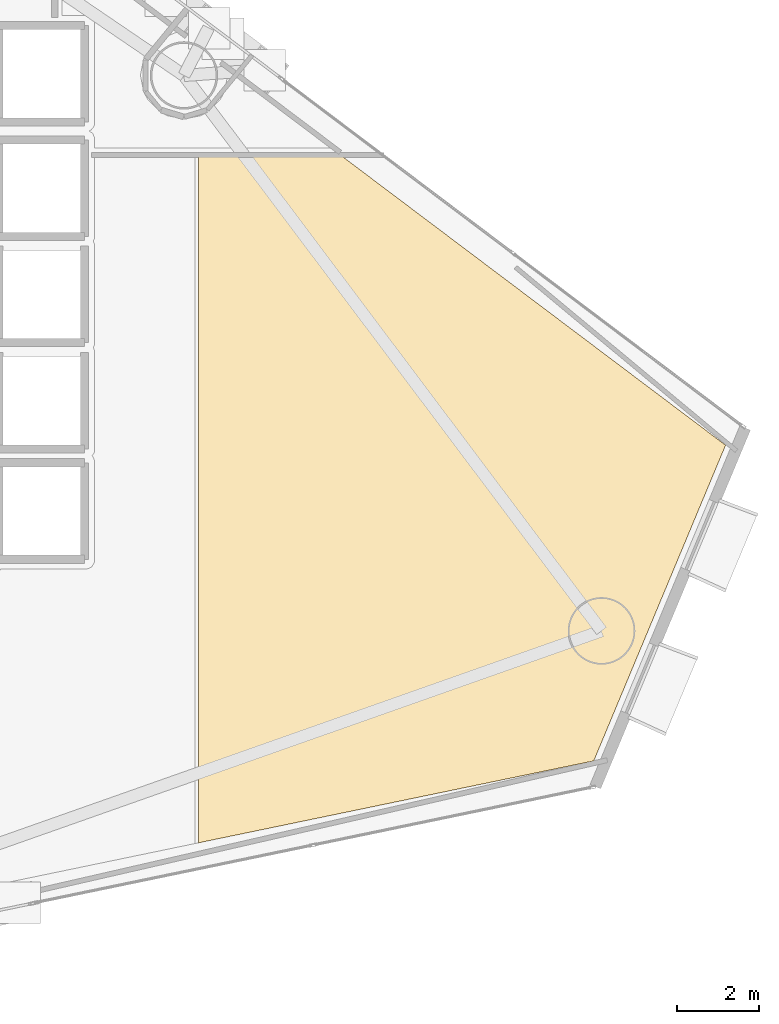
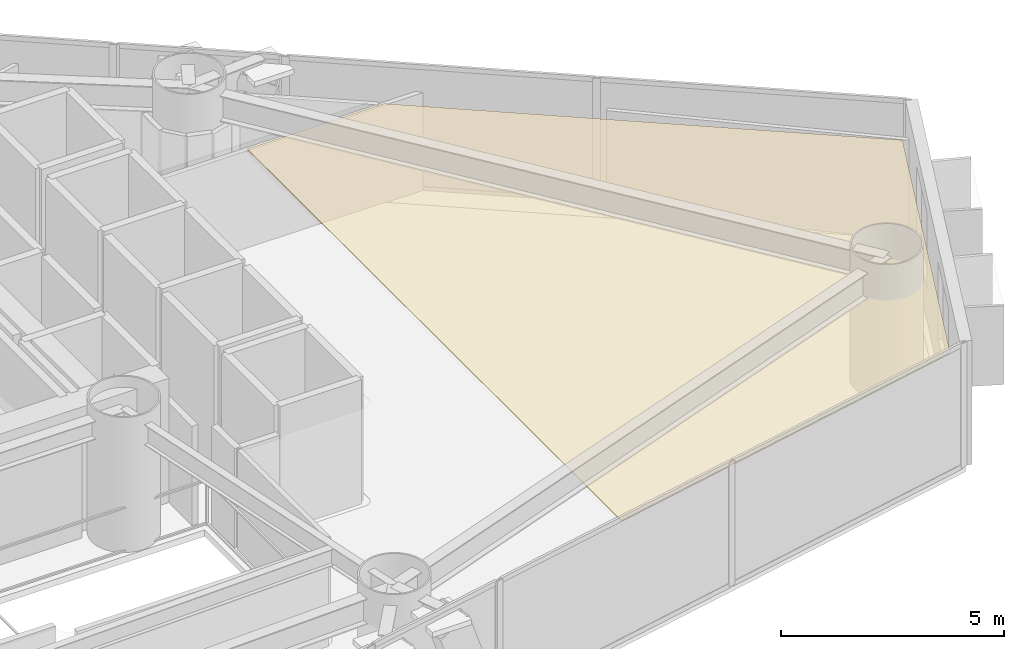
# One storey, part 22 of 22: 1 covering.
"""IFC4 building model written with IfcOpenShell, lengths in metres."""

from ifc_helpers import new_model, si_unit, direction, frame, origin, place, context, subcontext, project, spatial, polyline, outline, extrude, material, layer, layer_set, type_object, element, save


model = new_model("IFC4")

# Units and contexts
model_context = context("Model", 3, precision=1e-05, world=origin(), true_north=direction((0.0, 1.0)))
body_context = subcontext(model_context, "Body", "Model", "MODEL_VIEW")
ifc_project = project(units=[si_unit("LENGTHUNIT", "METRE"), si_unit("AREAUNIT", "SQUARE_METRE"), si_unit("VOLUMEUNIT", "CUBIC_METRE"), si_unit("PLANEANGLEUNIT", "RADIAN"), si_unit("MASSUNIT", "GRAM", prefix="KILO")], contexts=[model_context])

# Site, building, storey
site_placement = place(None, origin())
site = spatial("IfcSite", under=ifc_project, at=site_placement, CompositionType="ELEMENT")
building_placement = place(site_placement, origin())
building = spatial("IfcBuilding", under=site, at=building_placement, Name="Qianvela Tower", CompositionType="ELEMENT")
storey_placement = place(building_placement, frame((0.0, 0.0, 89.5)))
storey = spatial("IfcBuildingStorey", under=building, at=storey_placement, Name="L22", CompositionType="ELEMENT", Elevation=89.5)

# Covering
ifc_material = material(Name="Perforated Mineral Acoustic Ceiling Tile")
ifc_layer = layer(ifc_material, 0.02490234375)
ifc_layer_set = layer_set([ifc_layer], Name="Perforated Mineral Acoustic Ceiling Tile")
covering_type = type_object("IfcCoveringType", Name="COV-CEIL-ACOUSTIC-25", PredefinedType="CEILING", material=ifc_layer_set)
covering_placement = place(storey_placement, frame((0.0, 0.0, 2.695068359375)))
element("IfcCovering", 1, at=covering_placement, inside=storey, type_object=covering_type, Name="L22 Acoustic Ceiling Bay 2 Academic Cellular Office L22-02", PredefinedType="CEILING", context=body_context, shape_type="SweptSolid", body=[
    extrude(outline(polyline([(49.87939453125, 32.05810546875), (59.23291015625, 25.011474609375), (56.00830078125, 17.288330078125), (46.33447265625, 15.28271484375), (46.33447265625, 32.05810546875), (49.87939453125, 32.05810546875)])), origin(), (0.0, 0.0, 1.0), 0.02490234375),
])

save(model, "model.ifc")
